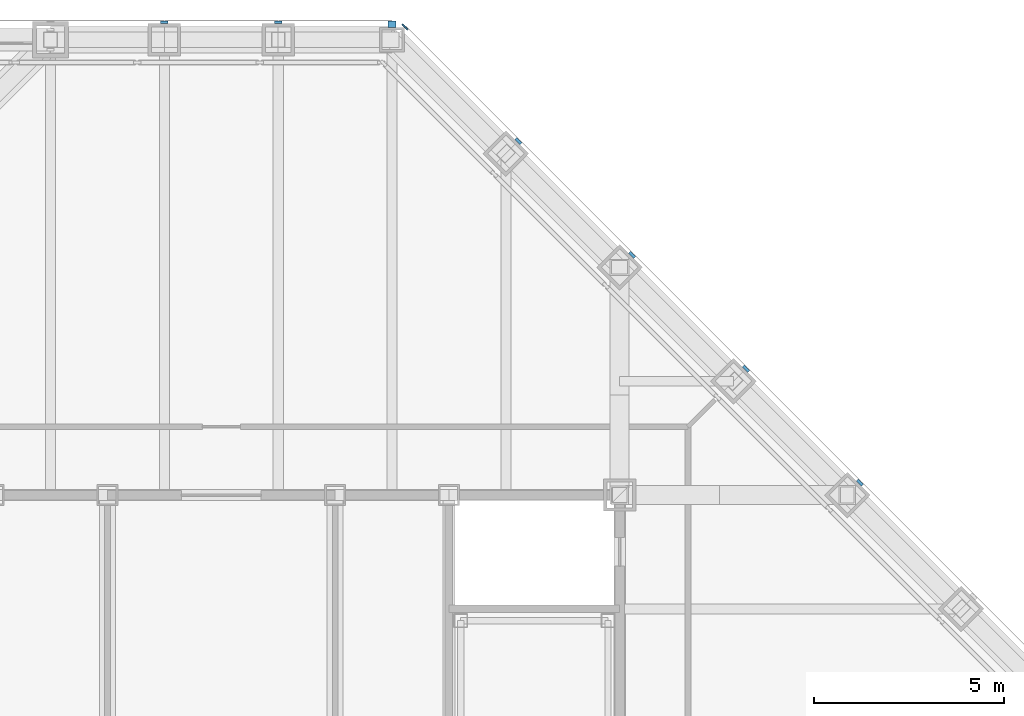
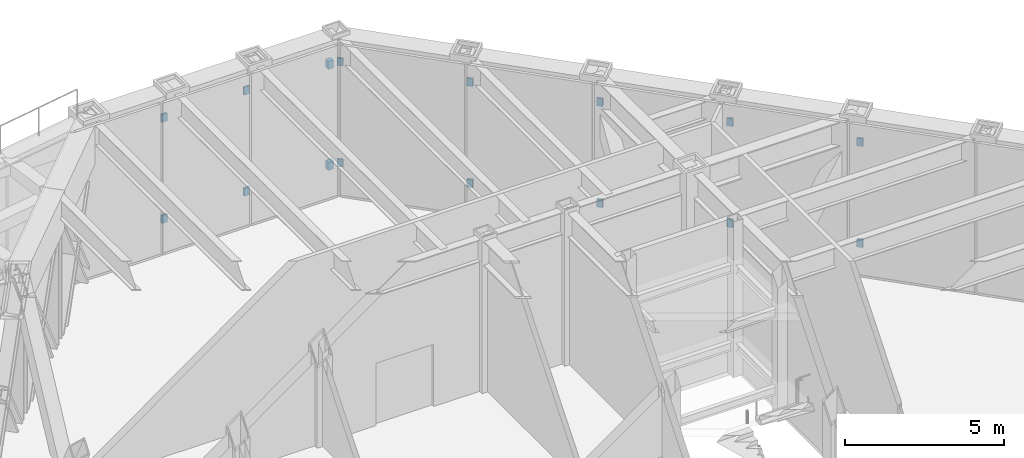
# One storey, part 19 of 29: 16 discrete accessories.
"""IFC4 building model written with IfcOpenShell, lengths in metres."""

from ifc_helpers import new_model, si_unit, direction, frame, origin, origin_2d, place, context, subcontext, project, spatial, rectangle, extrude, material, type_object, element, save


model = new_model("IFC4")

# Units and contexts
model_context = context("Model", 3, precision=1e-05, world=origin(), true_north=direction((0.0, 1.0)))
body_context = subcontext(model_context, "Body", "Model", "MODEL_VIEW")
ifc_project = project(units=[si_unit("LENGTHUNIT", "METRE"), si_unit("AREAUNIT", "SQUARE_METRE"), si_unit("VOLUMEUNIT", "CUBIC_METRE"), si_unit("PLANEANGLEUNIT", "RADIAN"), si_unit("MASSUNIT", "GRAM", prefix="KILO")], contexts=[model_context])

# Site, building, storey
site_placement = place(None, origin())
site = spatial("IfcSite", under=ifc_project, at=site_placement, CompositionType="ELEMENT")
building_placement = place(site_placement, origin())
building = spatial("IfcBuilding", under=site, at=building_placement, Name="Chuquiago Exchange Tower", CompositionType="ELEMENT")
storey_placement = place(building_placement, frame((0.0, 0.0, 251.699951171875)))
storey = spatial("IfcBuildingStorey", under=building, at=storey_placement, Name="L56", CompositionType="ELEMENT", Elevation=251.699951171875)

# Discrete accessories
ifc_material_1 = material(Name="Stainless steel plate bracket", Category="steel")
discrete_accessory_type_1 = type_object("IfcDiscreteAccessoryType", Name="GB3 cladding bracket 175", PredefinedType="BRACKET", material=ifc_material_1)
for number, where, z_axis, x_axis, name in (
    (1, (27.0, 45.41259765625, 0.35009765625), (0.0, 0.0, 1.0), (-1.0, 0.0, 0.0), "Cladding bracket L56 N"),
    (2, (27.0, 45.41259765625, 4.240234375), (0.0, 0.0, 1.0), (-1.0, 0.0, 0.0), "Cladding bracket L56 N"),
):
    element("IfcDiscreteAccessory", number, at=place(storey_placement, frame(where, z_axis=z_axis, x_axis=x_axis)), inside=storey, type_object=discrete_accessory_type_1, Name=name, PredefinedType="BRACKET", context=body_context, shape_type="SweptSolid", body=[
        extrude(rectangle(XDim=0.199951171875, YDim=0.175048828125, at=origin_2d()), origin(), (0.0, 0.0, 1.0), 0.300048828125),
    ])
ifc_material_2 = material(Name="Stainless steel plate bracket", Category="steel")
discrete_accessory_type_2 = type_object("IfcDiscreteAccessoryType", Name="GB4 cladding bracket 75", PredefinedType="BRACKET", material=ifc_material_2)
for number, where, z_axis, x_axis, name in (
    (3, (39.326904296875, 33.3271484375, 0.35009765625), (0.0, 0.0, 1.0), (-0.707106781187, 0.707106781187, 0.0), "Cladding bracket L56 NE"),
    (4, (39.326904296875, 33.3271484375, 4.240234375), (0.0, 0.0, 1.0), (-0.707106781187, 0.707106781187, 0.0), "Cladding bracket L56 NE"),
    (5, (36.3271484375, 36.326904296875, 0.35009765625), (0.0, 0.0, 1.0), (-0.707106781187, 0.707106781187, 0.0), "Cladding bracket L56 NE"),
    (6, (36.3271484375, 36.326904296875, 4.240234375), (0.0, 0.0, 1.0), (-0.707106781187, 0.707106781187, 0.0), "Cladding bracket L56 NE"),
    (7, (33.326904296875, 39.3271484375, 0.35009765625), (0.0, 0.0, 1.0), (-0.707106781187, 0.707106781187, 0.0), "Cladding bracket L56 NE"),
    (8, (33.326904296875, 39.3271484375, 4.240234375), (0.0, 0.0, 1.0), (-0.707106781187, 0.707106781187, 0.0), "Cladding bracket L56 NE"),
    (9, (30.326904296875, 42.326904296875, 0.35009765625), (0.0, 0.0, 1.0), (-0.707106781187, 0.707106781187, 0.0), "Cladding bracket L56 NE"),
    (10, (30.326904296875, 42.326904296875, 4.240234375), (0.0, 0.0, 1.0), (-0.707106781187, 0.707106781187, 0.0), "Cladding bracket L56 NE"),
    (11, (24.0, 45.46240234375, 0.35009765625), (0.0, 0.0, 1.0), (-1.0, 0.0, 0.0), "Cladding bracket L56 N"),
    (12, (24.0, 45.46240234375, 4.240234375), (0.0, 0.0, 1.0), (-1.0, 0.0, 0.0), "Cladding bracket L56 N"),
    (13, (21.0, 45.46240234375, 0.35009765625), (0.0, 0.0, 1.0), (-1.0, 0.0, 0.0), "Cladding bracket L56 N"),
    (14, (21.0, 45.46240234375, 4.240234375), (0.0, 0.0, 1.0), (-1.0, 0.0, 0.0), "Cladding bracket L56 N"),
):
    element("IfcDiscreteAccessory", number, at=place(storey_placement, frame(where, z_axis=z_axis, x_axis=x_axis)), inside=storey, type_object=discrete_accessory_type_2, Name=name, PredefinedType="BRACKET", context=body_context, shape_type="SweptSolid", body=[
        extrude(rectangle(XDim=0.199951171875, YDim=0.074951171875, at=origin_2d()), origin(), (0.0, 0.0, 1.0), 0.300048828125),
    ])
ifc_material_3 = material(Name="Stainless steel plate bracket", Category="steel")
discrete_accessory_type_3 = type_object("IfcDiscreteAccessoryType", Name="GB5 cladding bracket 40", PredefinedType="BRACKET", material=ifc_material_3)
for number, where, z_axis, x_axis, name in (
    (15, (27.33935546875, 45.339111328125, 0.35009765625), (0.0, 0.0, 1.0), (-0.707106781187, 0.707106781187, 0.0), "Cladding bracket L56 NE"),
    (16, (27.33935546875, 45.339111328125, 4.240234375), (0.0, 0.0, 1.0), (-0.707106781187, 0.707106781187, 0.0), "Cladding bracket L56 NE"),
):
    element("IfcDiscreteAccessory", number, at=place(storey_placement, frame(where, z_axis=z_axis, x_axis=x_axis)), inside=storey, type_object=discrete_accessory_type_3, Name=name, PredefinedType="BRACKET", context=body_context, shape_type="SweptSolid", body=[
        extrude(rectangle(XDim=0.199951171875, YDim=0.040283203125, at=origin_2d()), origin(), (0.0, 0.0, 1.0), 0.300048828125),
    ])

save(model, "model.ifc")
